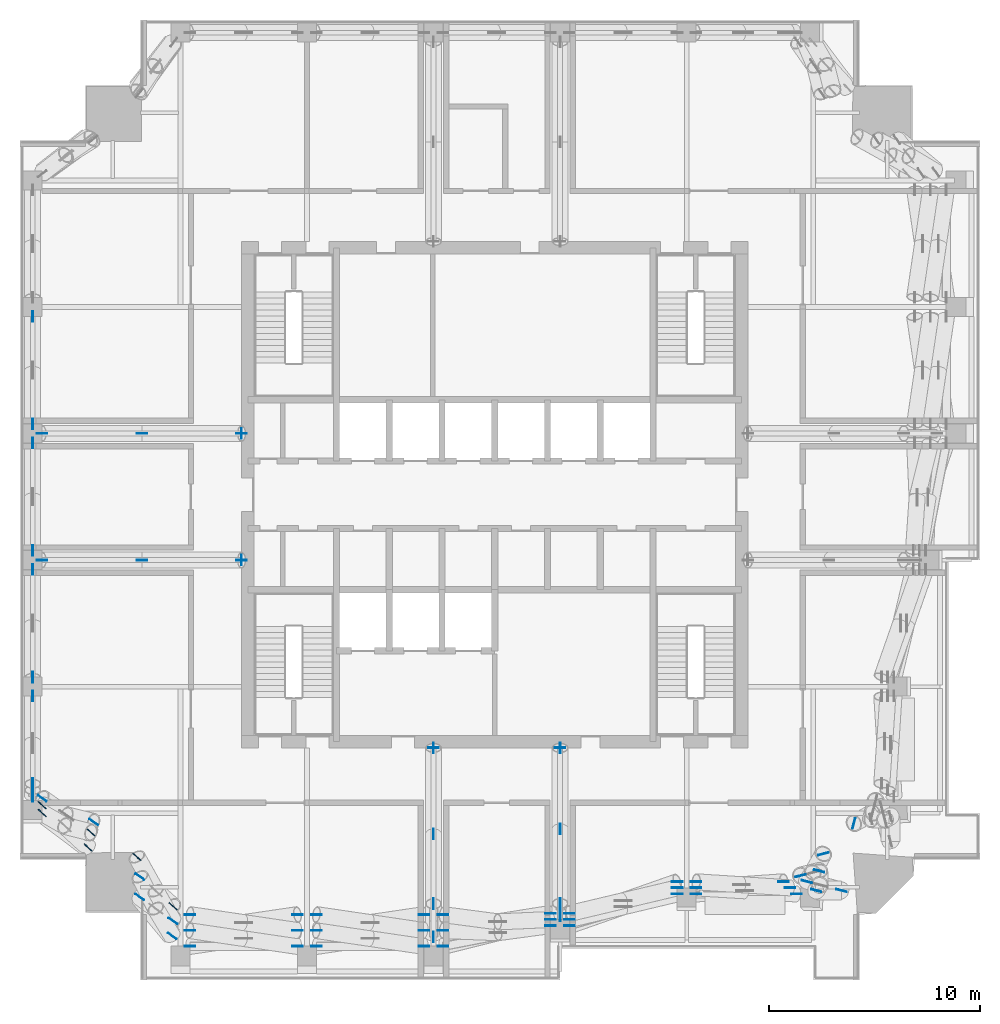
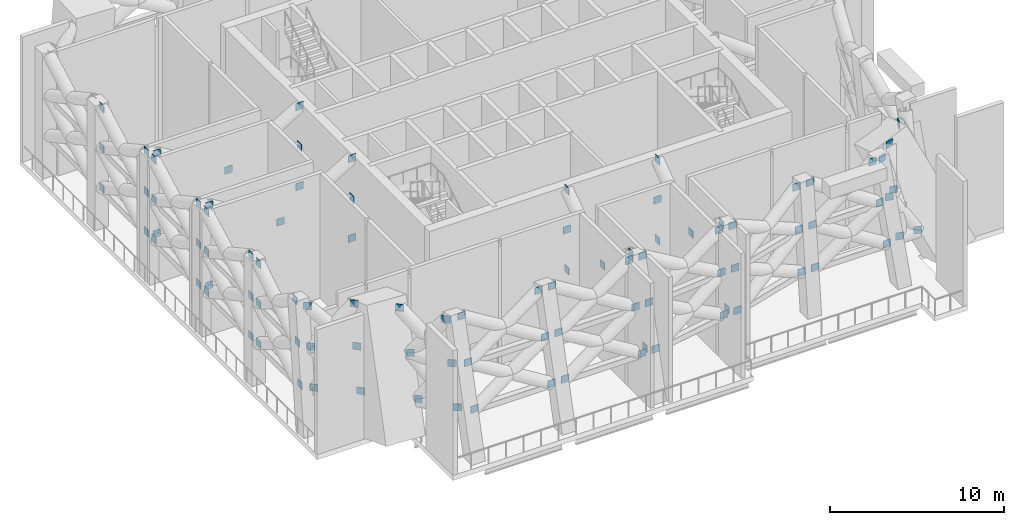
# One storey, part 12 of 18: 97 discrete accessories.
"""IFC4 building model written with IfcOpenShell, lengths in metres."""

from ifc_helpers import new_model, si_unit, direction, frame, origin, origin_2d, place, context, subcontext, project, spatial, rectangle, extrude, element, save


model = new_model("IFC4")

# Units and contexts
model_context = context("Model", 3, precision=1e-05, world=origin(), true_north=direction((0.0, 1.0)))
body_context = subcontext(model_context, "Body", "Model", "MODEL_VIEW")
ifc_project = project(units=[si_unit("LENGTHUNIT", "METRE"), si_unit("AREAUNIT", "SQUARE_METRE"), si_unit("VOLUMEUNIT", "CUBIC_METRE"), si_unit("PLANEANGLEUNIT", "RADIAN"), si_unit("MASSUNIT", "GRAM", prefix="KILO")], contexts=[model_context])

# Site, building, storey
site_placement = place(None, origin())
site = spatial("IfcSite", under=ifc_project, at=site_placement, CompositionType="ELEMENT")
building_placement = place(site_placement, origin())
building = spatial("IfcBuilding", under=site, at=building_placement, Name="Amberfall Residences", CompositionType="ELEMENT")
storey_placement = place(building_placement, frame((0.0, 0.0, 229.89990234375)))
storey = spatial("IfcBuildingStorey", under=building, at=storey_placement, Name="L62", CompositionType="ELEMENT", Elevation=229.89990234375)

# Discrete accessories
discrete_accessory_1_placement = place(storey_placement, frame((71.60009765625, 33.5, 5.4501953125), z_axis=(0.0, 0.0, 1.0), x_axis=(0.0, 1.0, 0.0)))
element("IfcDiscreteAccessory", 1, at=discrete_accessory_1_placement, inside=storey, Name="Cast-in plate L62", PredefinedType="BRACKET", context=body_context, shape_type="SweptSolid", body=[
    extrude(rectangle(XDim=0.0400390625, YDim=0.5, at=origin_2d()), origin(), (0.0, 0.0, 1.0), 0.5),
])
for number, where, z_axis, x_axis, name in (
    (2, (71.60009765625, 24.5419921875, 2.650146484375), (0.0, 0.0, 1.0), (0.0, 1.0, 0.0), "Connection plate L62"),
    (3, (71.60009765625, 29.4140625, 5.4501953125), (0.0, 0.0, 1.0), (0.0, 1.0, 0.0), "Connection plate L62"),
    (4, (71.60009765625, 33.5, 2.650146484375), (0.0, 0.0, 1.0), (0.0, 1.0, 0.0), "Connection plate L62"),
    (5, (71.60009765625, 26.1142578125, 8.25), (0.0, 0.0, 1.0), (0.0, 1.0, 0.0), "Connection plate L62"),
    (6, (71.60009765625, 33.5, 8.25), (0.0, 0.0, 1.0), (0.0, 1.0, 0.0), "Connection plate L62"),
):
    element("IfcDiscreteAccessory", number, at=place(storey_placement, frame(where, z_axis=z_axis, x_axis=x_axis)), inside=storey, Name=name, PredefinedType="BRACKET", context=body_context, shape_type="SweptSolid", body=[
        extrude(rectangle(XDim=0.5, YDim=0.0400390625, at=origin_2d()), origin(), (0.0, 0.0, 1.0), 0.5),
    ])
discrete_accessory_2_placement = place(storey_placement, frame((77.60009765625, 33.5, 5.4501953125), z_axis=(0.0, 0.0, 1.0), x_axis=(0.0, 1.0, 0.0)))
element("IfcDiscreteAccessory", 7, at=discrete_accessory_2_placement, inside=storey, Name="Cast-in plate L62", PredefinedType="BRACKET", context=body_context, shape_type="SweptSolid", body=[
    extrude(rectangle(XDim=0.0400390625, YDim=0.5, at=origin_2d()), origin(), (0.0, 0.0, 1.0), 0.5),
])
for number, where, z_axis, x_axis, name in (
    (8, (77.60009765625, 25.52880859375, 2.650146484375), (0.0, 0.0, 1.0), (0.0, 1.0, 0.0), "Connection plate L62"),
    (9, (77.60009765625, 29.66455078125, 5.4501953125), (0.0, 0.0, 1.0), (0.0, 1.0, 0.0), "Connection plate L62"),
    (10, (77.60009765625, 33.5, 2.650146484375), (0.0, 0.0, 1.0), (0.0, 1.0, 0.0), "Connection plate L62"),
    (11, (77.60009765625, 26.129150390625, 8.25), (0.0, 0.0, 1.0), (0.0, 1.0, 0.0), "Connection plate L62"),
    (12, (77.60009765625, 33.5, 8.25), (0.0, 0.0, 1.0), (0.0, 1.0, 0.0), "Connection plate L62"),
):
    element("IfcDiscreteAccessory", number, at=place(storey_placement, frame(where, z_axis=z_axis, x_axis=x_axis)), inside=storey, Name=name, PredefinedType="BRACKET", context=body_context, shape_type="SweptSolid", body=[
        extrude(rectangle(XDim=0.5, YDim=0.0400390625, at=origin_2d()), origin(), (0.0, 0.0, 1.0), 0.5),
    ])
discrete_accessory_3_placement = place(storey_placement, frame((62.5, 42.39990234375, 5.4501953125), z_axis=(0.0, 0.0, 1.0), x_axis=(1.0, 0.0, 0.0)))
element("IfcDiscreteAccessory", 13, at=discrete_accessory_3_placement, inside=storey, Name="Cast-in plate L62", PredefinedType="BRACKET", context=body_context, shape_type="SweptSolid", body=[
    extrude(rectangle(XDim=0.0400390625, YDim=0.5, at=origin_2d()), origin(), (0.0, 0.0, 1.0), 0.5),
])
for number, where, z_axis, x_axis, name in (
    (14, (53.050048828125, 42.39990234375, 2.650146484375), (0.0, 0.0, 1.0), (1.0, 0.0, 0.0), "Connection plate L62"),
    (15, (57.77490234375, 42.39990234375, 5.4501953125), (0.0, 0.0, 1.0), (1.0, 0.0, 0.0), "Connection plate L62"),
    (16, (62.5, 42.39990234375, 2.650146484375), (0.0, 0.0, 1.0), (1.0, 0.0, 0.0), "Connection plate L62"),
    (17, (53.050048828125, 42.39990234375, 8.25), (0.0, 0.0, 1.0), (1.0, 0.0, 0.0), "Connection plate L62"),
    (18, (62.5, 42.39990234375, 8.25), (0.0, 0.0, 1.0), (1.0, 0.0, 0.0), "Connection plate L62"),
):
    element("IfcDiscreteAccessory", number, at=place(storey_placement, frame(where, z_axis=z_axis, x_axis=x_axis)), inside=storey, Name=name, PredefinedType="BRACKET", context=body_context, shape_type="SweptSolid", body=[
        extrude(rectangle(XDim=0.5, YDim=0.0400390625, at=origin_2d()), origin(), (0.0, 0.0, 1.0), 0.5),
    ])
discrete_accessory_4_placement = place(storey_placement, frame((62.5, 48.39990234375, 5.4501953125), z_axis=(0.0, 0.0, 1.0), x_axis=(1.0, 0.0, 0.0)))
element("IfcDiscreteAccessory", 19, at=discrete_accessory_4_placement, inside=storey, Name="Cast-in plate L62", PredefinedType="BRACKET", context=body_context, shape_type="SweptSolid", body=[
    extrude(rectangle(XDim=0.0400390625, YDim=0.5, at=origin_2d()), origin(), (0.0, 0.0, 1.0), 0.5),
])
for number, where, z_axis, x_axis, name in (
    (20, (53.050048828125, 48.39990234375, 2.650146484375), (0.0, 0.0, 1.0), (1.0, 0.0, 0.0), "Connection plate L62"),
    (21, (57.77490234375, 48.39990234375, 5.4501953125), (0.0, 0.0, 1.0), (1.0, 0.0, 0.0), "Connection plate L62"),
    (22, (62.5, 48.39990234375, 2.650146484375), (0.0, 0.0, 1.0), (1.0, 0.0, 0.0), "Connection plate L62"),
    (23, (53.050048828125, 48.39990234375, 8.25), (0.0, 0.0, 1.0), (1.0, 0.0, 0.0), "Connection plate L62"),
    (24, (62.5, 48.39990234375, 8.25), (0.0, 0.0, 1.0), (1.0, 0.0, 0.0), "Connection plate L62"),
    (25, (60.050048828125, 24.092041015625, 2.650146484375), (0.0, 0.0, 1.0), (1.0, 0.0, 0.0), "Connection plate L62"),
    (26, (65.14990234375, 24.844482421875, 5.4501953125), (0.0, 0.0, 1.0), (1.0, 0.0, 0.0), "Connection plate L62"),
    (27, (60.050048828125, 24.844482421875, 5.4501953125), (0.0, 0.0, 1.0), (1.0, 0.0, 0.0), "Connection plate L62"),
    (28, (65.14990234375, 24.092041015625, 2.650146484375), (0.0, 0.0, 1.0), (1.0, 0.0, 0.0), "Connection plate L62"),
    (29, (65.14990234375, 25.596923828125, 8.25), (0.0, 0.0, 1.0), (1.0, 0.0, 0.0), "Connection plate L62"),
    (30, (60.050048828125, 25.596923828125, 8.25), (0.0, 0.0, 1.0), (1.0, 0.0, 0.0), "Connection plate L62"),
    (31, (66.050048828125, 24.092041015625, 2.650146484375), (0.0, 0.0, 1.0), (1.0, 0.0, 0.0), "Connection plate L62"),
    (32, (71.14990234375, 24.844482421875, 5.4501953125), (0.0, 0.0, 1.0), (1.0, 0.0, 0.0), "Connection plate L62"),
    (33, (66.050048828125, 24.844482421875, 5.4501953125), (0.0, 0.0, 1.0), (1.0, 0.0, 0.0), "Connection plate L62"),
    (34, (71.14990234375, 24.092041015625, 2.650146484375), (0.0, 0.0, 1.0), (1.0, 0.0, 0.0), "Connection plate L62"),
    (35, (71.14990234375, 25.596923828125, 8.25), (0.0, 0.0, 1.0), (1.0, 0.0, 0.0), "Connection plate L62"),
    (36, (66.050048828125, 25.596923828125, 8.25), (0.0, 0.0, 1.0), (1.0, 0.0, 0.0), "Connection plate L62"),
    (37, (72.050048828125, 24.092041015625, 2.650146484375), (0.0, 0.0, 1.0), (1.0, 0.0, 0.0), "Connection plate L62"),
    (38, (77.14990234375, 25.3662109375, 5.4501953125), (0.0, 0.0, 1.0), (1.0, 0.0, 0.0), "Connection plate L62"),
    (39, (72.050048828125, 24.844482421875, 5.4501953125), (0.0, 0.0, 1.0), (1.0, 0.0, 0.0), "Connection plate L62"),
    (40, (77.14990234375, 25.078857421875, 2.650146484375), (0.0, 0.0, 1.0), (1.0, 0.0, 0.0), "Connection plate L62"),
    (41, (77.14990234375, 25.6533203125, 8.25), (0.0, 0.0, 1.0), (1.0, 0.0, 0.0), "Connection plate L62"),
    (42, (72.050048828125, 25.596923828125, 8.25), (0.0, 0.0, 1.0), (1.0, 0.0, 0.0), "Connection plate L62"),
    (43, (78.050048828125, 25.078857421875, 2.650146484375), (0.0, 0.0, 1.0), (1.0, 0.0, 0.0), "Connection plate L62"),
    (44, (83.14990234375, 26.8662109375, 5.4501953125), (0.0, 0.0, 1.0), (1.0, 0.0, 0.0), "Connection plate L62"),
    (45, (78.050048828125, 25.3662109375, 5.4501953125), (0.0, 0.0, 1.0), (1.0, 0.0, 0.0), "Connection plate L62"),
    (46, (83.14990234375, 26.578857421875, 2.650146484375), (0.0, 0.0, 1.0), (1.0, 0.0, 0.0), "Connection plate L62"),
    (47, (83.14990234375, 27.1533203125, 8.25), (0.0, 0.0, 1.0), (1.0, 0.0, 0.0), "Connection plate L62"),
    (48, (78.050048828125, 25.6533203125, 8.25), (0.0, 0.0, 1.0), (1.0, 0.0, 0.0), "Connection plate L62"),
    (49, (84.050048828125, 26.578857421875, 2.650146484375), (0.0, 0.0, 1.0), (1.0, 0.0, 0.0), "Connection plate L62"),
    (50, (88.500732421875, 26.86669921875, 5.4501953125), (0.0, 0.0, 1.0), (1.0, 0.0, 0.0), "Connection plate L62"),
    (51, (84.050048828125, 26.8662109375, 5.4501953125), (0.0, 0.0, 1.0), (1.0, 0.0, 0.0), "Connection plate L62"),
    (52, (88.8046875, 26.578125, 2.650146484375), (0.0, 0.0, 1.0), (1.0, 0.0, 0.0), "Connection plate L62"),
    (53, (88.197021484375, 27.1552734375, 8.25), (0.0, 0.0, 1.0), (1.0, 0.0, 0.0), "Connection plate L62"),
    (54, (84.050048828125, 27.1533203125, 8.25), (0.0, 0.0, 1.0), (1.0, 0.0, 0.0), "Connection plate L62"),
    (55, (52.60009765625, 31.196044921875, 2.650146484375), (0.0, 0.0, 1.0), (0.0, 1.0, 0.0), "Connection plate L62"),
    (56, (52.60009765625, 35.949951171875, 5.4501953125), (0.0, 0.0, 1.0), (0.0, 1.0, 0.0), "Connection plate L62"),
    (57, (52.60009765625, 31.49853515625, 5.4501953125), (0.0, 0.0, 1.0), (0.0, 1.0, 0.0), "Connection plate L62"),
    (58, (52.60009765625, 35.949951171875, 2.650146484375), (0.0, 0.0, 1.0), (0.0, 1.0, 0.0), "Connection plate L62"),
    (59, (52.60009765625, 35.949951171875, 8.25), (0.0, 0.0, 1.0), (0.0, 1.0, 0.0), "Connection plate L62"),
    (60, (52.60009765625, 31.80126953125, 8.25), (0.0, 0.0, 1.0), (0.0, 1.0, 0.0), "Connection plate L62"),
    (61, (52.60009765625, 36.85009765625, 2.650146484375), (0.0, 0.0, 1.0), (0.0, 1.0, 0.0), "Connection plate L62"),
    (62, (52.60009765625, 41.949951171875, 5.4501953125), (0.0, 0.0, 1.0), (0.0, 1.0, 0.0), "Connection plate L62"),
    (63, (52.60009765625, 36.85009765625, 5.4501953125), (0.0, 0.0, 1.0), (0.0, 1.0, 0.0), "Connection plate L62"),
    (64, (52.60009765625, 41.949951171875, 2.650146484375), (0.0, 0.0, 1.0), (0.0, 1.0, 0.0), "Connection plate L62"),
    (65, (52.60009765625, 41.949951171875, 8.25), (0.0, 0.0, 1.0), (0.0, 1.0, 0.0), "Connection plate L62"),
    (66, (52.60009765625, 36.85009765625, 8.25), (0.0, 0.0, 1.0), (0.0, 1.0, 0.0), "Connection plate L62"),
    (67, (52.60009765625, 42.85009765625, 2.650146484375), (0.0, 0.0, 1.0), (0.0, 1.0, 0.0), "Connection plate L62"),
    (68, (52.60009765625, 47.949951171875, 5.4501953125), (0.0, 0.0, 1.0), (0.0, 1.0, 0.0), "Connection plate L62"),
    (69, (52.60009765625, 42.85009765625, 5.4501953125), (0.0, 0.0, 1.0), (0.0, 1.0, 0.0), "Connection plate L62"),
    (70, (52.60009765625, 47.949951171875, 2.650146484375), (0.0, 0.0, 1.0), (0.0, 1.0, 0.0), "Connection plate L62"),
    (71, (52.60009765625, 47.949951171875, 8.25), (0.0, 0.0, 1.0), (0.0, 1.0, 0.0), "Connection plate L62"),
    (72, (52.60009765625, 42.85009765625, 8.25), (0.0, 0.0, 1.0), (0.0, 1.0, 0.0), "Connection plate L62"),
    (73, (52.60009765625, 48.85009765625, 2.650146484375), (0.0, 0.0, 1.0), (0.0, 1.0, 0.0), "Connection plate L62"),
    (74, (52.60009765625, 53.949951171875, 5.4501953125), (0.0, 0.0, 1.0), (0.0, 1.0, 0.0), "Connection plate L62"),
    (75, (52.60009765625, 48.85009765625, 5.4501953125), (0.0, 0.0, 1.0), (0.0, 1.0, 0.0), "Connection plate L62"),
    (76, (52.60009765625, 53.949951171875, 2.650146484375), (0.0, 0.0, 1.0), (0.0, 1.0, 0.0), "Connection plate L62"),
    (77, (52.60009765625, 53.949951171875, 8.25), (0.0, 0.0, 1.0), (0.0, 1.0, 0.0), "Connection plate L62"),
    (78, (52.60009765625, 48.85009765625, 8.25), (0.0, 0.0, 1.0), (0.0, 1.0, 0.0), "Connection plate L62"),
    (79, (91.521728515625, 29.926513671875, 8.04296875), (0.0, 0.0, 1.0), (0.24715122231, 0.968976920938, 0.0), "Connection plate L62"),
    (80, (90.935546875, 26.7373046875, 2.75), (0.0, 0.0, 1.0), (-0.968452814643, 0.249197002009, 0.0), "Connection plate L62"),
    (81, (89.296630859375, 27.158935546875, 5.396484375), (0.0, 0.0, 1.0), (-0.968452814643, 0.249197002009, 0.0), "Connection plate L62"),
    (82, (89.8759765625, 27.666015625, 5.396484375), (0.0, 0.0, 1.0), (-0.968452814643, 0.249197002009, 0.0), "Connection plate L62"),
    (83, (89.740478515625, 26.7373046875, 2.75), (0.0, 0.0, 1.0), (-0.968452814643, 0.249197002009, 0.0), "Connection plate L62"),
    (84, (88.99853515625, 27.442138671875, 8.04296875), (0.0, 0.0, 1.0), (-0.968976920938, -0.24715122231, 0.0), "Connection plate L62"),
    (85, (90.073486328125, 28.478271484375, 8.04296875), (0.0, 0.0, 1.0), (-0.968976920938, -0.24715122231, 0.0), "Connection plate L62"),
    (86, (57.669921875, 26.43310546875, 2.75), (0.0, 0.0, 1.0), (0.812002041252, -0.583654593918, 0.0), "Connection plate L62"),
    (87, (59.251708984375, 25.296142578125, 5.396484375), (0.0, 0.0, 1.0), (0.812002041252, -0.583654593918, 0.0), "Connection plate L62"),
    (88, (57.6845703125, 27.39208984375, 5.396484375), (0.0, 0.0, 1.0), (0.812002041252, -0.583654593918, 0.0), "Connection plate L62"),
    (89, (59.211181640625, 24.5849609375, 2.75), (0.0, 0.0, 1.0), (0.812002041252, -0.583654593918, 0.0), "Connection plate L62"),
    (90, (59.257080078125, 25.995849609375, 8.04296875), (0.0, 0.0, 1.0), (0.747740149159, -0.663991467818, 0.0), "Connection plate L62"),
    (91, (57.535400390625, 28.33447265625, 8.04296875), (0.0, 0.0, 1.0), (0.747740149159, -0.663991467818, 0.0), "Connection plate L62"),
    (92, (55.2314453125, 28.7783203125, 2.75), (0.0, 0.0, 1.0), (-0.73506844578, 0.677992905581, 0.0), "Connection plate L62"),
    (93, (53.050048828125, 30.790283203125, 5.396484375), (0.0, 0.0, 1.0), (-0.73506844578, 0.677992905581, 0.0), "Connection plate L62"),
    (94, (55.36181640625, 29.492919921875, 5.396484375), (0.0, 0.0, 1.0), (-0.73506844578, 0.677992905581, 0.0), "Connection plate L62"),
    (95, (53.050048828125, 30.41845703125, 2.75), (0.0, 0.0, 1.0), (-0.73506844578, 0.677992905581, 0.0), "Connection plate L62"),
    (96, (53.050048828125, 31.115966796875, 8.04296875), (0.0, 0.0, 1.0), (-0.818440648926, 0.574591075624, 0.0), "Connection plate L62"),
    (97, (55.488525390625, 29.98779296875, 8.04296875), (0.0, 0.0, 1.0), (-0.818440648926, 0.574591075624, 0.0), "Connection plate L62"),
):
    element("IfcDiscreteAccessory", number, at=place(storey_placement, frame(where, z_axis=z_axis, x_axis=x_axis)), inside=storey, Name=name, PredefinedType="BRACKET", context=body_context, shape_type="SweptSolid", body=[
        extrude(rectangle(XDim=0.5, YDim=0.0400390625, at=origin_2d()), origin(), (0.0, 0.0, 1.0), 0.5),
    ])

save(model, "model.ifc")
